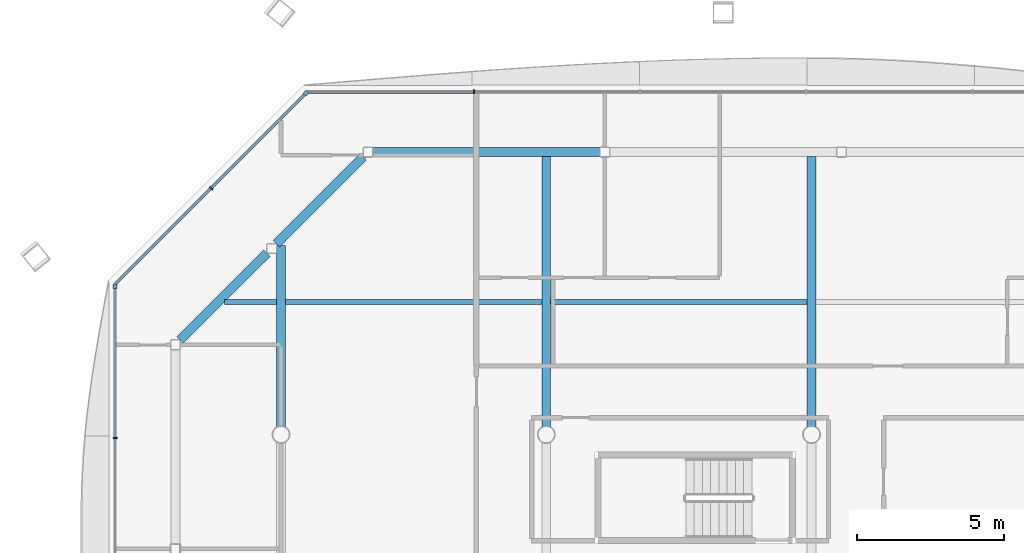
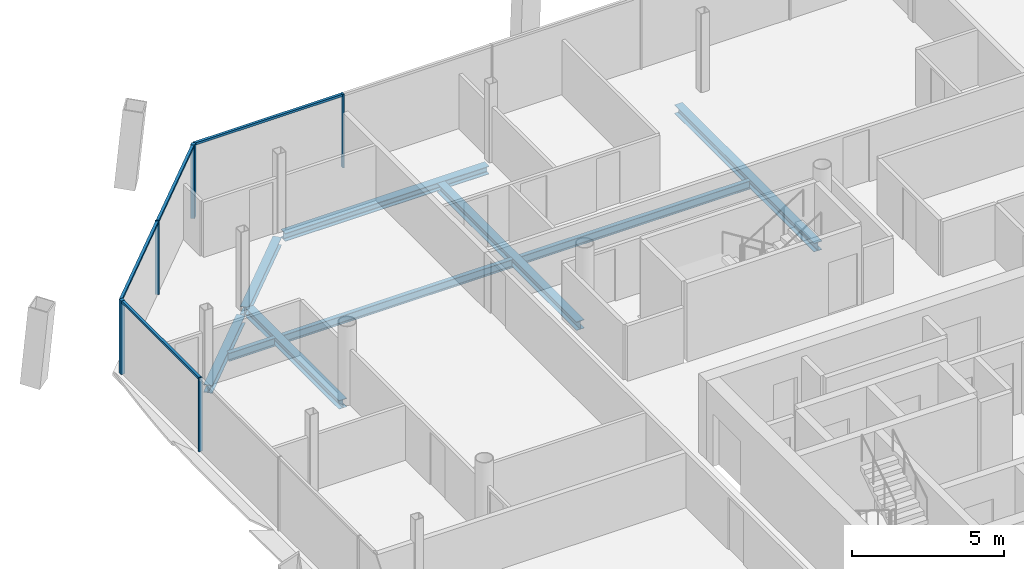
# One storey, part 10 of 20: 9 beams, 9 members, 3 elements without a shape of their own.
"""IFC4 building model written with IfcOpenShell, lengths in metres."""

from ifc_helpers import new_model, si_unit, direction, frame, origin, origin_2d, place, context, subcontext, project, spatial, rectangle, i_section, extrude, material, material_profile, profile_set, type_object, element, aggregate, save


model = new_model("IFC4")

# Units and contexts
model_context = context("Model", 3, precision=1e-05, world=origin(), true_north=direction((0.0, 1.0)))
body_context = subcontext(model_context, "Body", "Model", "MODEL_VIEW")
ifc_project = project(units=[si_unit("LENGTHUNIT", "METRE"), si_unit("AREAUNIT", "SQUARE_METRE"), si_unit("VOLUMEUNIT", "CUBIC_METRE"), si_unit("PLANEANGLEUNIT", "RADIAN"), si_unit("MASSUNIT", "GRAM", prefix="KILO")], contexts=[model_context])

# Site, building, storey
site_placement = place(None, origin())
site = spatial("IfcSite", under=ifc_project, at=site_placement, CompositionType="ELEMENT")
building_placement = place(site_placement, origin())
building = spatial("IfcBuilding", under=site, at=building_placement, Name="Tskaro Facet Tower", CompositionType="ELEMENT")
storey_placement = place(building_placement, frame((0.0, 0.0, 187.949951171875)))
storey = spatial("IfcBuildingStorey", under=building, at=storey_placement, Name="L47", CompositionType="ELEMENT", Elevation=187.949951171875)

# Curtain wall, member
ifc_material_1 = material(Name="Bronze anodised aluminium 6063-T6", Category="aluminium")
curtain_wall_type = type_object("IfcCurtainWallType", Name="Bronze residence curtain wall (FW3)", PredefinedType="NOTDEFINED", material=ifc_material_1)
curtain_wall_1_placement = place(storey_placement, origin())
curtain_wall_1 = element("IfcCurtainWall", 1, at=curtain_wall_1_placement, inside=storey, type_object=curtain_wall_type, Name="FW3 north-west facet L47", PredefinedType="NOTDEFINED")
ifc_material_profile_1 = material_profile(ifc_material_1, rectangle(XDim=0.139892578125, YDim=0.139892578125, at=origin_2d()), Name="Corner post 140x140")
ifc_profile_set_1 = profile_set([ifc_material_profile_1], Name="Bronze anodised aluminium 6063-T6")
member_type_1 = type_object("IfcMemberType", Name="FW3 bronze corner post 140x140", PredefinedType="MULLION", material=ifc_profile_set_1)
member_1_placement = place(storey_placement, frame((-17.1494140625, 20.57861328125, 0.0), z_axis=(0.0, 0.0, 1.0), x_axis=(-0.707106781187, -0.707106781187, 0.0)))
member_1 = element("IfcMember", 2, at=member_1_placement, type_object=member_type_1, Name="FW3 north-west corner post", PredefinedType="MULLION", context=body_context, shape_type="SweptSolid", body=[
    extrude(rectangle(XDim=0.139892578125, YDim=0.139892578125, at=origin_2d()), origin(), (0.0, 0.0, 1.0), 2.949951171875),
])

curtain_wall_2_placement = place(storey_placement, origin())
curtain_wall_2 = element("IfcCurtainWall", 3, at=curtain_wall_2_placement, inside=storey, type_object=curtain_wall_type, Name="FW3 west facet L47", PredefinedType="NOTDEFINED")
member_2_placement = place(storey_placement, frame((-23.6279296875, 14.030029296875, 0.0), z_axis=(0.0, 0.0, 1.0), x_axis=(0.0, -1.0, 0.0)))
member_2 = element("IfcMember", 4, at=member_2_placement, type_object=member_type_1, Name="FW3 west corner post", PredefinedType="MULLION", context=body_context, shape_type="SweptSolid", body=[
    extrude(rectangle(XDim=0.139892578125, YDim=0.139892578125, at=origin_2d()), origin(), (0.0, 0.0, 1.0), 2.949951171875),
])

curtain_wall_3_placement = place(storey_placement, origin())
curtain_wall_3 = element("IfcCurtainWall", 5, at=curtain_wall_3_placement, inside=storey, type_object=curtain_wall_type, Name="FW3 north facet L47", PredefinedType="NOTDEFINED")
ifc_material_profile_2 = material_profile(ifc_material_1, rectangle(XDim=0.050048828125, YDim=0.139892578125, at=origin_2d()), Name="Mullion 50x140")
ifc_profile_set_2 = profile_set([ifc_material_profile_2], Name="Bronze anodised aluminium 6063-T6")
member_type_2 = type_object("IfcMemberType", Name="FW3 bronze mullion 50x140", PredefinedType="MULLION", material=ifc_profile_set_2)
member_3_placement = place(storey_placement, frame((-11.4599609375, 20.6279296875, 0.0), z_axis=(0.0, 0.0, 1.0), x_axis=(-1.0, 0.0, 0.0)))
member_3 = element("IfcMember", 6, at=member_3_placement, type_object=member_type_2, Name="FW3 north mullion 4", PredefinedType="MULLION", context=body_context, shape_type="SweptSolid", body=[
    extrude(rectangle(XDim=0.050048828125, YDim=0.139892578125, at=origin_2d()), origin(), (0.0, 0.0, 1.0), 2.949951171875),
])

# Member
member_4_placement = place(storey_placement, frame((-20.364013671875, 17.364013671875, 0.0), z_axis=(0.0, 0.0, 1.0), x_axis=(-0.707106781187, -0.707106781187, 0.0)))
member_4 = element("IfcMember", 7, at=member_4_placement, type_object=member_type_2, Name="FW3 north-west mullion 1", PredefinedType="MULLION", context=body_context, shape_type="SweptSolid", body=[
    extrude(rectangle(XDim=0.050048828125, YDim=0.139892578125, at=origin_2d()), origin(), (0.0, 0.0, 1.0), 2.949951171875),
])

member_5_placement = place(storey_placement, frame((-23.6279296875, 8.8818359375, 0.0), z_axis=(0.0, 0.0, 1.0), x_axis=(0.0, -1.0, 0.0)))
member_5 = element("IfcMember", 8, at=member_5_placement, type_object=member_type_2, Name="FW3 west mullion 1", PredefinedType="MULLION", context=body_context, shape_type="SweptSolid", body=[
    extrude(rectangle(XDim=0.050048828125, YDim=0.139892578125, at=origin_2d()), origin(), (0.0, 0.0, 1.0), 2.949951171875),
])

ifc_material_profile_3 = material_profile(ifc_material_1, rectangle(XDim=0.10009765625, YDim=0.090087890625, at=origin_2d()), Name="Transom 100x90")
ifc_profile_set_3 = profile_set([ifc_material_profile_3], Name="Bronze anodised aluminium 6063-T6")
member_type_3 = type_object("IfcMemberType", Name="FW3 bronze transom 100x90", PredefinedType="USERDEFINED", material=ifc_profile_set_3)
member_6_placement = place(storey_placement, frame((-11.485107421875, 20.6279296875, 2.905029296875), z_axis=(-1.0, 0.0, 0.0), x_axis=(0.0, -1.0, 0.0)))
member_6 = element("IfcMember", 9, at=member_6_placement, type_object=member_type_3, Name="FW3 north transom 5.1", ObjectType="TRANSOM", PredefinedType="USERDEFINED", context=body_context, shape_type="SweptSolid", body=[
    extrude(rectangle(XDim=0.10009765625, YDim=0.090087890625, at=origin_2d()), origin(), (0.0, 0.0, 1.0), 5.614990234375),
])

aggregate(curtain_wall_3, [member_3, member_6])

member_7_placement = place(storey_placement, frame((-17.198974609375, 20.529052734375, 2.905029296875), z_axis=(-0.707106781187, -0.707106781187, 0.0), x_axis=(0.707106781187, -0.707106781187, 0.0)))
member_7 = element("IfcMember", 10, at=member_7_placement, type_object=member_type_3, Name="FW3 north-west transom 1.1", ObjectType="TRANSOM", PredefinedType="USERDEFINED", context=body_context, shape_type="SweptSolid", body=[
    extrude(rectangle(XDim=0.10009765625, YDim=0.090087890625, at=origin_2d()), origin(), (0.0, 0.0, 1.0), 4.451171875),
])

member_8_placement = place(storey_placement, frame((-20.381591796875, 17.346435546875, 2.905029296875), z_axis=(-0.707106781187, -0.707106781187, 0.0), x_axis=(0.707106781187, -0.707106781187, 0.0)))
member_8 = element("IfcMember", 11, at=member_8_placement, type_object=member_type_3, Name="FW3 north-west transom 2.1", ObjectType="TRANSOM", PredefinedType="USERDEFINED", context=body_context, shape_type="SweptSolid", body=[
    extrude(rectangle(XDim=0.10009765625, YDim=0.090087890625, at=origin_2d()), origin(), (0.0, 0.0, 1.0), 4.591064453125),
])

aggregate(curtain_wall_1, [member_1, member_4, member_7, member_8])

member_9_placement = place(storey_placement, frame((-23.6279296875, 13.9599609375, 2.905029296875), z_axis=(0.0, -1.0, 0.0), x_axis=(1.0, 0.0, 0.0)))
member_9 = element("IfcMember", 12, at=member_9_placement, type_object=member_type_3, Name="FW3 west transom 1.1", ObjectType="TRANSOM", PredefinedType="USERDEFINED", context=body_context, shape_type="SweptSolid", body=[
    extrude(rectangle(XDim=0.10009765625, YDim=0.090087890625, at=origin_2d()), origin(), (0.0, 0.0, 1.0), 5.05322265625),
])

aggregate(curtain_wall_2, [member_2, member_5, member_9])

# Beams
ifc_material_2 = material(Name="Steel S355J2", Category="steel")
ifc_material_profile_4 = material_profile(ifc_material_2, i_section(OverallWidth=0.300048828125, OverallDepth=0.320068359375, WebThickness=0.011474609375, FlangeThickness=0.0205078125, FilletRadius=0.027099609375, at=origin_2d()), Name="HE 320 B")
ifc_profile_set_4 = profile_set([ifc_material_profile_4], Name="Steel S355J2")
beam_type_1 = type_object("IfcBeamType", Name="HE 320 B ring beam", PredefinedType="BEAM", material=ifc_profile_set_4)
beam_1_placement = place(storey_placement, frame((-7.169921875, 18.5830078125, -0.300048828125), z_axis=(-1.0, 0.0, 0.0), x_axis=(0.0, -1.0, 0.0)))
element("IfcBeam", 13, at=beam_1_placement, inside=storey, type_object=beam_type_1, Name="HE 320 B EB14-4", PredefinedType="BEAM", context=body_context, shape_type="SweptSolid", body=[
    extrude(i_section(OverallWidth=0.300048828125, OverallDepth=0.320068359375, WebThickness=0.011474609375, FlangeThickness=0.0205078125, FilletRadius=0.027099609375, at=origin_2d()), origin(), (0.0, 0.0, 1.0), 7.72119140625),
])
for number, where, z_axis, x_axis, name in (
    (14, (-15.206787109375, 18.422119140625, -0.300048828125), (-0.706989603829, -0.70722393913, 0.0), (0.70722393913, -0.706989603829, 0.0), "HE 320 B EB15-4"),
    (15, (-18.474853515625, 15.153076171875, -0.300048828125), (-0.70722393913, -0.706989603829, 0.0), (0.706989603829, -0.70722393913, 0.0), "HE 320 B EB16-4"),
):
    element("IfcBeam", number, at=place(storey_placement, frame(where, z_axis=z_axis, x_axis=x_axis)), inside=storey, type_object=beam_type_1, Name=name, PredefinedType="BEAM", context=body_context, shape_type="SweptSolid", body=[
        extrude(i_section(OverallWidth=0.300048828125, OverallDepth=0.320068359375, WebThickness=0.011474609375, FlangeThickness=0.0205078125, FilletRadius=0.027099609375, at=origin_2d()), origin(), (0.0, 0.0, 1.0), 4.16748046875),
    ])
ifc_material_profile_5 = material_profile(ifc_material_2, i_section(OverallWidth=0.300048828125, OverallDepth=0.35009765625, WebThickness=0.010009765625, FlangeThickness=0.017578125, FilletRadius=0.027099609375, at=origin_2d()), Name="HE 360 A")
ifc_profile_set_5 = profile_set([ifc_material_profile_5], Name="Steel S355J2")
beam_type_2 = type_object("IfcBeamType", Name="HE 360 A girder", PredefinedType="BEAM", material=ifc_profile_set_5)
beam_2_placement = place(storey_placement, frame((-18.0, 9.27490234375, -0.31494140625), z_axis=(0.0, 1.0, 0.0), x_axis=(-1.0, 0.0, 0.0)))
element("IfcBeam", 16, at=beam_2_placement, inside=storey, type_object=beam_type_2, Name="HE 360 A GB2-4-4", PredefinedType="BEAM", context=body_context, shape_type="SweptSolid", body=[
    extrude(i_section(OverallWidth=0.300048828125, OverallDepth=0.35009765625, WebThickness=0.010009765625, FlangeThickness=0.017578125, FilletRadius=0.027099609375, at=origin_2d()), origin(), (0.0, 0.0, 1.0), 6.14208984375),
])
for number, where, z_axis, x_axis, name in (
    (17, (-9.0, 9.27490234375, -0.31494140625), (0.0, 1.0, 0.0), (-1.0, 0.0, 0.0), "HE 360 A GB3-3-4"),
    (18, (0.0, 9.27490234375, -0.31494140625), (0.0, 1.0, 0.0), (-1.0, 0.0, 0.0), "HE 360 A GB4-3-4"),
):
    element("IfcBeam", number, at=place(storey_placement, frame(where, z_axis=z_axis, x_axis=x_axis)), inside=storey, type_object=beam_type_2, Name=name, PredefinedType="BEAM", context=body_context, shape_type="SweptSolid", body=[
        extrude(i_section(OverallWidth=0.300048828125, OverallDepth=0.35009765625, WebThickness=0.010009765625, FlangeThickness=0.017578125, FilletRadius=0.027099609375, at=origin_2d()), origin(), (0.0, 0.0, 1.0), 9.158203125),
    ])
ifc_material_profile_6 = material_profile(ifc_material_2, i_section(OverallWidth=0.159912109375, OverallDepth=0.330078125, WebThickness=0.007568359375, FlangeThickness=0.011474609375, FilletRadius=0.01806640625, at=origin_2d()), Name="IPE 330")
ifc_profile_set_6 = profile_set([ifc_material_profile_6], Name="Steel S355J2")
beam_type_3 = type_object("IfcBeamType", Name="IPE 330 secondary beam", PredefinedType="BEAM", material=ifc_profile_set_6)
beam_3_placement = place(storey_placement, frame((-19.9169921875, 13.5, -0.304931640625), z_axis=(1.0, 0.0, 0.0), x_axis=(0.0, 1.0, 0.0)))
element("IfcBeam", 19, at=beam_3_placement, inside=storey, type_object=beam_type_3, Name="IPE 330 SB5a-1-4", PredefinedType="BEAM", context=body_context, shape_type="SweptSolid", body=[
    extrude(i_section(OverallWidth=0.159912109375, OverallDepth=0.330078125, WebThickness=0.007568359375, FlangeThickness=0.011474609375, FilletRadius=0.01806640625, at=origin_2d()), origin(), (0.0, 0.0, 1.0), 1.76708984375),
])
for number, where, z_axis, x_axis, name in (
    (20, (-17.85009765625, 13.5, -0.304931640625), (1.0, 0.0, 0.0), (0.0, 1.0, 0.0), "IPE 330 SB5a-2-4"),
    (21, (-8.85009765625, 13.5, -0.304931640625), (1.0, 0.0, 0.0), (0.0, 1.0, 0.0), "IPE 330 SB5a-3-4"),
):
    element("IfcBeam", number, at=place(storey_placement, frame(where, z_axis=z_axis, x_axis=x_axis)), inside=storey, type_object=beam_type_3, Name=name, PredefinedType="BEAM", context=body_context, shape_type="SweptSolid", body=[
        extrude(i_section(OverallWidth=0.159912109375, OverallDepth=0.330078125, WebThickness=0.007568359375, FlangeThickness=0.011474609375, FilletRadius=0.01806640625, at=origin_2d()), origin(), (0.0, 0.0, 1.0), 8.7001953125),
    ])

save(model, "model.ifc")
